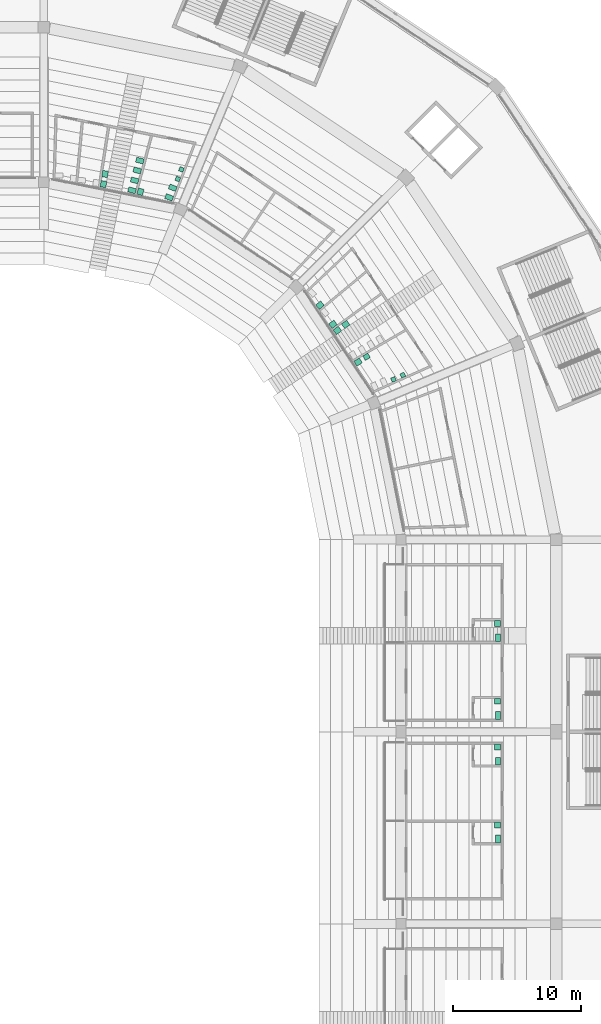
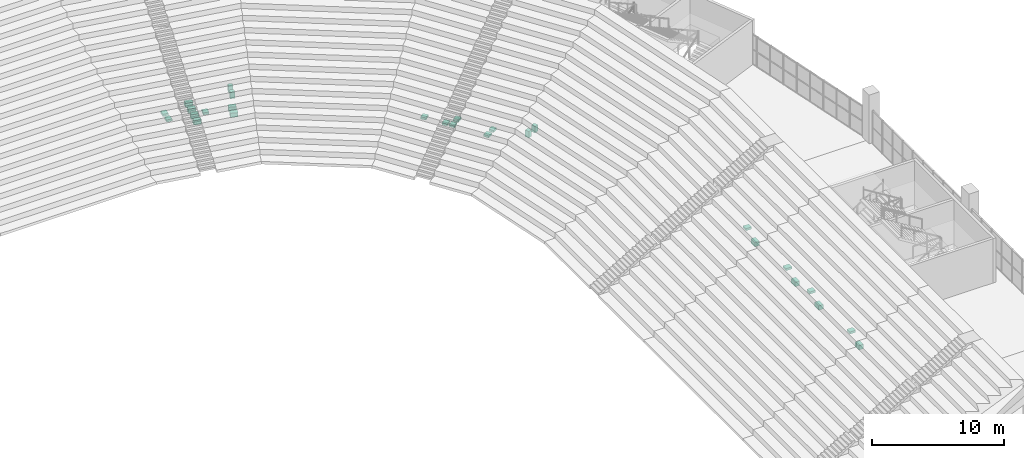
# One storey, part 249 of 249: 27 sanitary terminals.
"""IFC4 building model written with IfcOpenShell, lengths in metres."""

from ifc_helpers import new_model, si_unit, direction, frame, origin, origin_2d, place, context, subcontext, project, spatial, rectangle, extrude, material, type_object, element, save


model = new_model("IFC4")

# Units and contexts
model_context = context("Model", 3, precision=1e-05, world=origin(), true_north=direction((0.0, 1.0)))
body_context = subcontext(model_context, "Body", "Model", "MODEL_VIEW")
ifc_project = project(units=[si_unit("LENGTHUNIT", "METRE"), si_unit("AREAUNIT", "SQUARE_METRE"), si_unit("VOLUMEUNIT", "CUBIC_METRE"), si_unit("PLANEANGLEUNIT", "RADIAN"), si_unit("MASSUNIT", "GRAM", prefix="KILO")], contexts=[model_context])

# Site, building, storey
site_placement = place(None, origin())
site = spatial("IfcSite", under=ifc_project, at=site_placement, CompositionType="ELEMENT")
building_placement = place(site_placement, origin())
building = spatial("IfcBuilding", under=site, at=building_placement, Name="Ogive Plaza Stadium", CompositionType="ELEMENT")
storey_placement = place(building_placement, frame((0.0, 0.0, 13.5)))
storey = spatial("IfcBuildingStorey", under=building, at=storey_placement, Name="L03", CompositionType="ELEMENT", Elevation=13.5)

# Sanitary terminals
ifc_material_1 = material(Name="Vitreous china", Category="ceramic")
sanitary_terminal_type_1 = type_object("IfcSanitaryTerminalType", Name="Drinking fountain", PredefinedType="SANITARYFOUNTAIN", material=ifc_material_1)
sanitary_terminal_placement = place(storey_placement, frame((59.202880859375, 66.77978515625, 0.7998046875), z_axis=(0.0, 0.0, 1.0), x_axis=(0.866624301697, 0.498961240688, 0.0)))
element("IfcSanitaryTerminal", 1, at=sanitary_terminal_placement, inside=storey, type_object=sanitary_terminal_type_1, Name="Drinking fountain L03-147", PredefinedType="SANITARYFOUNTAIN", context=body_context, shape_type="SweptSolid", body=[
    extrude(rectangle(XDim=0.449951171875, YDim=0.39990234375, at=origin_2d()), origin(), (0.0, 0.0, 1.0), 0.199951171875),
])
ifc_material_2 = material(Name="Vitreous china", Category="ceramic")
sanitary_terminal_type_2 = type_object("IfcSanitaryTerminalType", Name="Lavatory", PredefinedType="WASHHANDBASIN", material=ifc_material_2)
for number, where, z_axis, x_axis, name in (
    (2, (41.54638671875, 79.663818359375, 0.7998046875), (0.0, 0.0, 1.0), (0.259977043631, 0.96561479731, 0.0), "Lavatory L03-141"),
    (3, (58.5439453125, 66.37158203125, 0.7998046875), (0.0, 0.0, 1.0), (0.866624301697, 0.498961240688, 0.0), "Lavatory L03-147"),
    (4, (38.65869140625, 80.2626953125, 0.7998046875), (0.0, 0.0, 1.0), (0.157603119679, 0.987502535018, 0.0), "Lavatory L03-142"),
    (5, (38.784912109375, 81.052734375, 0.7998046875), (0.0, 0.0, 1.0), (0.157603119679, 0.987502535018, 0.0), "Lavatory L03-142"),
    (6, (56.92529296875, 68.8369140625, 0.7998046875), (0.0, 0.0, 1.0), (0.809711973611, 0.586827504289, 0.0), "Lavatory L03-148"),
    (7, (57.5732421875, 69.306396484375, 0.7998046875), (0.0, 0.0, 1.0), (0.809711973611, 0.586827504289, 0.0), "Lavatory L03-148"),
    (8, (69.425048828125, 39.875, 0.7998046875), (0.0, 0.0, 1.0), (-1.0, 0.0, 0.0), "Lavatory L03-003"),
    (9, (69.425048828125, 45.949951171875, 0.7998046875), (0.0, 0.0, 1.0), (-1.0, 0.0, 0.0), "Lavatory L03-005"),
    (10, (69.425048828125, 36.300048828125, 0.7998046875), (0.0, 0.0, 1.0), (-1.0, 0.0, 0.0), "Lavatory L03-009"),
    (11, (69.425048828125, 30.22509765625, 0.7998046875), (0.0, 0.0, 1.0), (-1.0, 0.0, 0.0), "Lavatory L03-011"),
    (12, (56.582763671875, 69.31689453125, 0.7998046875), (0.0, 0.0, 1.0), (0.806792258871, 0.590835214781, 0.0), "Lavatory L03-149"),
    (13, (55.56591796875, 70.81005859375, 0.7998046875), (0.0, 0.0, 1.0), (0.767428179369, 0.641134923016, 0.0), "Lavatory L03-150"),
):
    element("IfcSanitaryTerminal", number, at=place(storey_placement, frame(where, z_axis=z_axis, x_axis=x_axis)), inside=storey, type_object=sanitary_terminal_type_2, Name=name, PredefinedType="WASHHANDBASIN", context=body_context, shape_type="SweptSolid", body=[
        extrude(rectangle(XDim=0.5, YDim=0.449951171875, at=origin_2d()), origin(), (0.0, 0.0, 1.0), 0.199951171875),
    ])
ifc_material_3 = material(Name="Vitreous china", Category="ceramic")
sanitary_terminal_type_3 = type_object("IfcSanitaryTerminalType", Name="Urinal", PredefinedType="URINAL", material=ifc_material_3)
for number, where, z_axis, x_axis, name in (
    (14, (44.45947265625, 80.6591796875, 0.599853515625), (0.0, 0.0, 1.0), (0.353647899459, 0.935378620243, 0.0), "Urinal L03-141"),
    (15, (44.7421875, 81.40771484375, 0.599853515625), (0.0, 0.0, 1.0), (0.353647899459, 0.935378620243, 0.0), "Urinal L03-141"),
    (16, (61.3076171875, 65.015625, 0.599853515625), (0.0, 0.0, 1.0), (0.911479393211, 0.411345737491, 0.0), "Urinal L03-147"),
    (17, (62.03662109375, 65.3447265625, 0.599853515625), (0.0, 0.0, 1.0), (0.911479393211, 0.411345737491, 0.0), "Urinal L03-147"),
):
    element("IfcSanitaryTerminal", number, at=place(storey_placement, frame(where, z_axis=z_axis, x_axis=x_axis)), inside=storey, type_object=sanitary_terminal_type_3, Name=name, PredefinedType="URINAL", context=body_context, shape_type="SweptSolid", body=[
        extrude(rectangle(XDim=0.35009765625, YDim=0.35009765625, at=origin_2d()), origin(), (0.0, 0.0, 1.0), 0.60009765625),
    ])
ifc_material_4 = material(Name="Vitreous china", Category="ceramic")
sanitary_terminal_type_4 = type_object("IfcSanitaryTerminalType", Name="Water closet", PredefinedType="TOILETPAN", material=ifc_material_4)
for number, where, z_axis, x_axis, name in (
    (18, (43.785400390625, 79.230224609375, 0.0), (0.0, 0.0, 1.0), (0.353647899459, 0.935378620243, 0.0), "Water closet L03-141"),
    (19, (44.068359375, 79.978515625, 0.0), (0.0, 0.0, 1.0), (0.353647899459, 0.935378620243, 0.0), "Water closet L03-141"),
    (20, (40.889404296875, 79.77783203125, 0.0), (0.0, 0.0, 1.0), (0.255199385574, 0.96688844941, 0.0), "Water closet L03-142"),
    (21, (41.093505859375, 80.551513671875, 0.0), (0.0, 0.0, 1.0), (0.255199385574, 0.96688844941, 0.0), "Water closet L03-142"),
    (22, (41.297607421875, 81.324951171875, 0.0), (0.0, 0.0, 1.0), (0.255199385574, 0.96688844941, 0.0), "Water closet L03-142"),
    (23, (41.501953125, 82.098388671875, 0.0), (0.0, 0.0, 1.0), (0.255199385574, 0.96688844941, 0.0), "Water closet L03-142"),
    (24, (69.47509765625, 38.77490234375, 0.0), (0.0, 0.0, 1.0), (-1.0, 0.0, 0.0), "Water closet L03-003"),
    (25, (69.47509765625, 44.85009765625, 0.0), (0.0, 0.0, 1.0), (-1.0, 0.0, 0.0), "Water closet L03-005"),
    (26, (69.47509765625, 35.199951171875, 0.0), (0.0, 0.0, 1.0), (-1.0, 0.0, 0.0), "Water closet L03-009"),
    (27, (69.47509765625, 29.125, 0.0), (0.0, 0.0, 1.0), (-1.0, 0.0, 0.0), "Water closet L03-011"),
):
    element("IfcSanitaryTerminal", number, at=place(storey_placement, frame(where, z_axis=z_axis, x_axis=x_axis)), inside=storey, type_object=sanitary_terminal_type_4, Name=name, PredefinedType="TOILETPAN", context=body_context, shape_type="SweptSolid", body=[
        extrude(rectangle(XDim=0.39990234375, YDim=0.60009765625, at=origin_2d()), origin(), (0.0, 0.0, 1.0), 0.39990234375),
    ])

save(model, "model.ifc")
